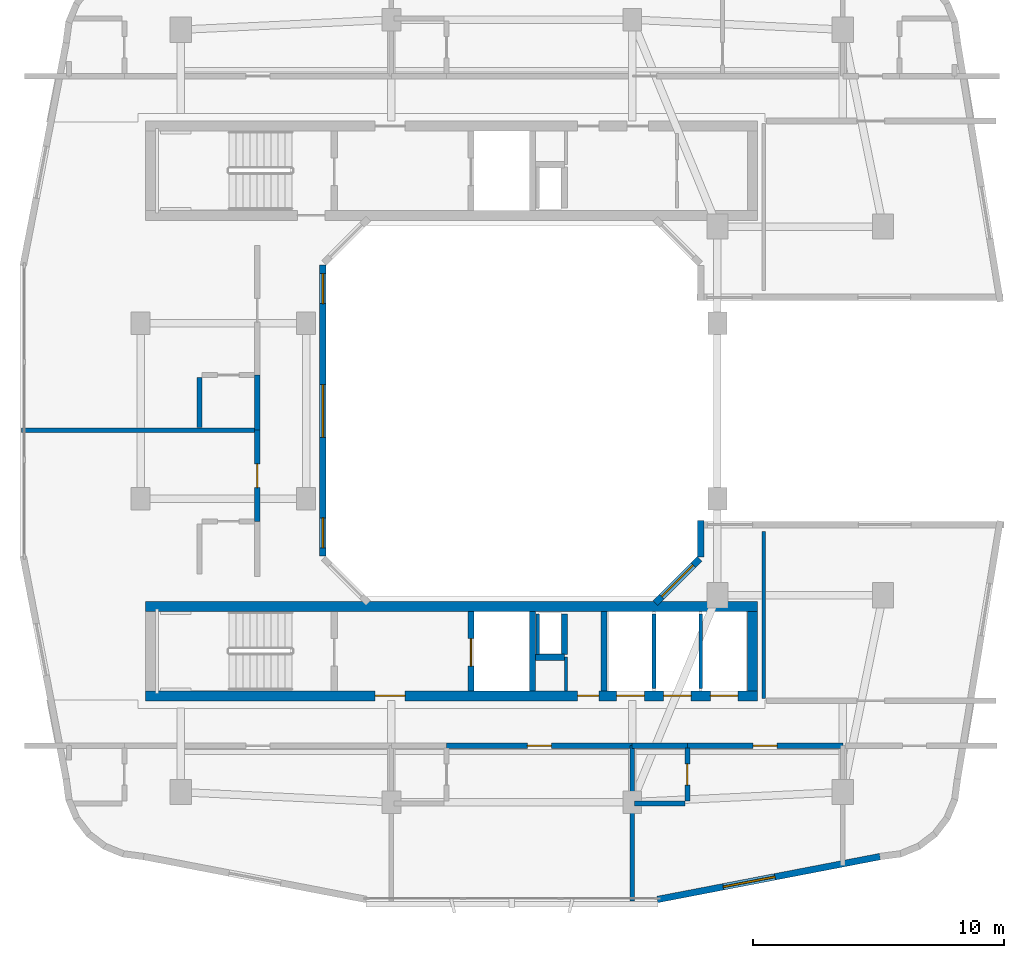
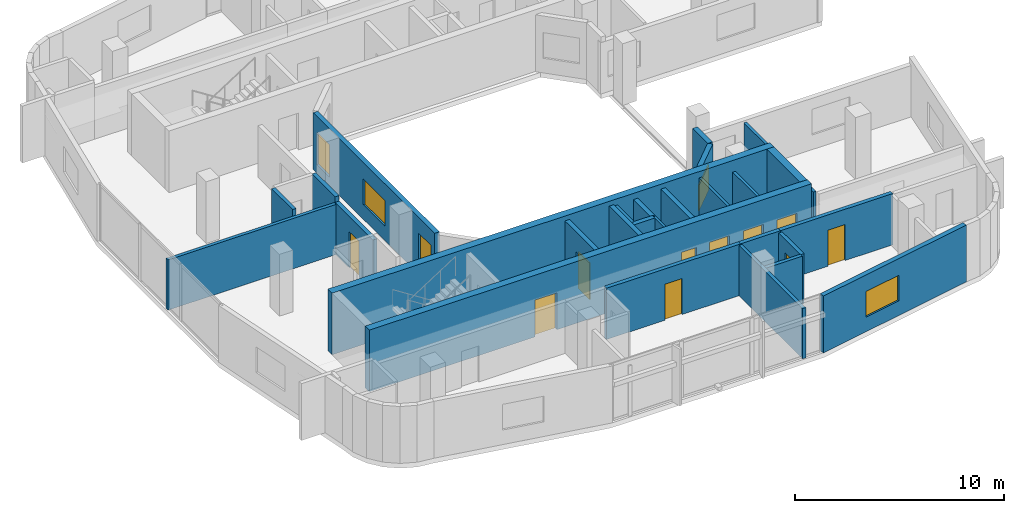
# One storey, part 5 of 12: 27 walls, 10 doors, 5 windows, 15 openings.
"""IFC4 building model written with IfcOpenShell, lengths in metres."""

from ifc_helpers import new_model, si_unit, derived_unit, direction, frame, frame_2d, origin, place, context, subcontext, project, spatial, rectangle, extrude, material, layer, layer_set, type_object, element, fill, save


model = new_model("IFC4")

# Units and contexts
model_context = context("Model", 3, precision=1e-05, world=origin(), true_north=direction((0.0, 1.0)))
body_context = subcontext(model_context, "Body", "Model", "MODEL_VIEW")
ifc_project = project(units=[si_unit("LENGTHUNIT", "METRE"), si_unit("AREAUNIT", "SQUARE_METRE"), si_unit("VOLUMEUNIT", "CUBIC_METRE"), si_unit("PLANEANGLEUNIT", "RADIAN"), si_unit("MASSUNIT", "GRAM", prefix="KILO"), derived_unit("THERMALTRANSMITTANCEUNIT", [(si_unit("POWERUNIT", "WATT"), 1), (si_unit("LENGTHUNIT", "METRE"), -2), (si_unit("THERMODYNAMICTEMPERATUREUNIT", "KELVIN"), -1)])], contexts=[model_context])

# Site, building, storey
site_placement = place(None, origin())
site = spatial("IfcSite", under=ifc_project, at=site_placement, CompositionType="ELEMENT")
building_placement = place(site_placement, origin())
building = spatial("IfcBuilding", under=site, at=building_placement, Name="Kivonza Crest Hotel", CompositionType="ELEMENT")
storey_placement = place(building_placement, frame((0.0, 0.0, 181.10009765625)))
storey = spatial("IfcBuildingStorey", under=building, at=storey_placement, Name="L49", CompositionType="ELEMENT", Elevation=181.10009765625)

# Walls
ifc_material_1 = material(Name="High-density acoustic masonry inter-tenancy wall", Category="masonry")
ifc_layer_1 = layer(ifc_material_1, 0.179931640625)
ifc_layer_set_1 = layer_set([ifc_layer_1], Name="High-density acoustic masonry inter-tenancy wall")
wall_type_1 = type_object("IfcWallType", Name="WL-ACOU-180", PredefinedType="SOLIDWALL", material=ifc_layer_set_1)
wall_1_placement = place(storey_placement, frame((25.800048828125, 5.4599609375, 0.0), z_axis=(0.0, 0.0, 1.0), x_axis=(0.0, 1.0, 0.0)))
element("IfcWall", 1, at=wall_1_placement, inside=storey, type_object=wall_type_1, Name="L49 interior partition WA-L49-T1S-DIV2", PredefinedType="SOLIDWALL", context=body_context, shape_type="SweptSolid", body=[
    extrude(rectangle(XDim=6.18994140625, YDim=0.179931640625, at=frame_2d((3.094970703125, 0.0))), origin(), (0.0, 0.0, 1.0), 2.934814453125),
])
wall_2_placement = place(storey_placement, frame((1.4599609375, 24.22998046875, 0.0), z_axis=(0.0, 0.0, 1.0), x_axis=(1.0, 0.0, 0.0)))
element("IfcWall", 2, at=wall_2_placement, inside=storey, type_object=wall_type_1, Name="L49 interior partition WA-L49-T1W-DIV1", PredefinedType="SOLIDWALL", context=body_context, shape_type="SweptSolid", body=[
    extrude(rectangle(XDim=9.39013671875, YDim=0.179931640625, at=frame_2d((4.695068359375, 0.0))), origin(), (0.0, 0.0, 1.0), 2.934814453125),
])

# Wall, opening, door
ifc_material_2 = material(Name="Autoclaved aerated concrete blockwork", Category="masonry")
ifc_layer_2 = layer(ifc_material_2, 0.219970703125)
ifc_layer_set_2 = layer_set([ifc_layer_2], Name="Autoclaved aerated concrete blockwork")
wall_type_2 = type_object("IfcWallType", Name="WL-ACOU-220", PredefinedType="SOLIDWALL", material=ifc_layer_set_2)
wall_3_placement = place(storey_placement, frame((18.39990234375, 11.64990234375, 0.0), z_axis=(0.0, 0.0, 1.0), x_axis=(1.0, 0.0, 0.0)))
wall_3 = element("IfcWall", 3, at=wall_3_placement, inside=storey, type_object=wall_type_2, Name="L49 interior partition WA-L49-S05-MCORR", PredefinedType="SOLIDWALL", context=body_context, shape_type="SweptSolid", body=[
    extrude(rectangle(XDim=7.400146484375, YDim=0.219970703125, at=frame_2d((3.7001953125, 0.0))), origin(), (0.0, 0.0, 1.0), 2.994873046875),
])
opening_1_placement = place(wall_3_placement, frame((3.22509765625, 0.0, 0.0)))
opening_1 = element("IfcOpeningElement", 4, at=opening_1_placement, cuts=wall_3, Name="Opening DU-60", PredefinedType="OPENING", context=body_context, shape_type="SweptSolid", body=[
    extrude(rectangle(XDim=0.949951171875, YDim=2.10009765625, at=frame_2d((0.47509765625, 1.050048828125))), frame((0.0, 0.1201171875, 0.0), z_axis=(0.0, -1.0, 0.0), x_axis=(1.0, 0.0, 0.0)), (0.0, 0.0, 1.0), 0.239990234375),
])
ifc_material_3 = material(Name="Hardwood timber oak", Category="wood")
door_type_1 = type_object("IfcDoorType", Name="DR-UNIT-950", OperationType="NOTDEFINED", PredefinedType="DOOR", material=ifc_material_3)
door_1_placement = place(opening_1_placement, frame((0.949951171875, 0.0, 0.0), z_axis=(0.0, 0.0, 1.0), x_axis=(-1.0, 0.0, 0.0)))
door_1 = element("IfcDoor", 5, at=door_1_placement, inside=storey, type_object=door_type_1, Name="L49 S05 guest unit entrance fire door", OperationType="SINGLE_SWING_LEFT", OverallHeight=2.10009765625, OverallWidth=0.949951171875, PredefinedType="DOOR", context=body_context, shape_type="SweptSolid", body=[
    extrude(rectangle(XDim=0.949951171875, YDim=2.10009765625, at=frame_2d((0.47509765625, 1.050048828125))), frame((0.0, 0.02490234375, 0.0), z_axis=(0.0, -1.0, 0.0), x_axis=(1.0, 0.0, 0.0)), (0.0, 0.0, 1.0), 0.050048828125),
])
fill(opening_1, door_1)

# Wall
wall_4_placement = place(storey_placement, frame((25.800048828125, 11.64990234375, 0.0), z_axis=(0.0, 0.0, 1.0), x_axis=(1.0, 0.0, 0.0)))
element("IfcWall", 6, at=wall_4_placement, inside=storey, type_object=wall_type_2, Name="L49 interior partition WA-L49-S06-BCORR", PredefinedType="SOLIDWALL", context=body_context, shape_type="SweptSolid", body=[
    extrude(rectangle(XDim=2.199951171875, YDim=0.219970703125, at=frame_2d((1.10009765625, 0.0))), origin(), (0.0, 0.0, 1.0), 2.994873046875),
])

# Wall, opening, door
wall_5_placement = place(storey_placement, frame((28.0, 11.64990234375, 0.0), z_axis=(0.0, 0.0, 1.0), x_axis=(1.0, 0.0, 0.0)))
wall_5 = element("IfcWall", 7, at=wall_5_placement, inside=storey, type_object=wall_type_2, Name="L49 interior partition WA-L49-S06-MCORR", PredefinedType="SOLIDWALL", context=body_context, shape_type="SweptSolid", body=[
    extrude(rectangle(XDim=6.199951171875, YDim=0.219970703125, at=frame_2d((3.10009765625, 0.0))), origin(), (0.0, 0.0, 1.0), 2.994873046875),
])
opening_2_placement = place(wall_5_placement, frame((2.625, 0.0, 0.0)))
opening_2 = element("IfcOpeningElement", 8, at=opening_2_placement, cuts=wall_5, Name="Opening DU-60", PredefinedType="OPENING", context=body_context, shape_type="SweptSolid", body=[
    extrude(rectangle(XDim=0.949951171875, YDim=2.10009765625, at=frame_2d((0.47509765625, 1.050048828125))), frame((0.0, 0.1201171875, 0.0), z_axis=(0.0, -1.0, 0.0), x_axis=(1.0, 0.0, 0.0)), (0.0, 0.0, 1.0), 0.239990234375),
])
door_2_placement = place(opening_2_placement, frame((0.949951171875, 0.0, 0.0), z_axis=(0.0, 0.0, 1.0), x_axis=(-1.0, 0.0, 0.0)))
door_2 = element("IfcDoor", 9, at=door_2_placement, inside=storey, type_object=door_type_1, Name="L49 S06 guest unit entrance fire door", OperationType="SINGLE_SWING_RIGHT", OverallHeight=2.10009765625, OverallWidth=0.949951171875, PredefinedType="DOOR", context=body_context, shape_type="SweptSolid", body=[
    extrude(rectangle(XDim=0.949951171875, YDim=2.10009765625, at=frame_2d((0.47509765625, 1.050048828125))), frame((0.0, 0.02490234375, 0.0), z_axis=(0.0, -1.0, 0.0), x_axis=(1.0, 0.0, 0.0)), (0.0, 0.0, 1.0), 0.050048828125),
])
fill(opening_2, door_2)

wall_6_placement = place(storey_placement, frame((10.85009765625, 20.60009765625, 0.0), z_axis=(0.0, 0.0, 1.0), x_axis=(0.0, 1.0, 0.0)))
wall_6 = element("IfcWall", 10, at=wall_6_placement, inside=storey, type_object=wall_type_2, Name="L49 interior partition WA-L49-W07-MCORR", PredefinedType="SOLIDWALL", context=body_context, shape_type="SweptSolid", body=[
    extrude(rectangle(XDim=3.6298828125, YDim=0.219970703125, at=frame_2d((1.81494140625, 0.0))), origin(), (0.0, 0.0, 1.0), 2.994873046875),
])
opening_3_placement = place(wall_6_placement, frame((1.340087890625, 0.0, 0.0)))
opening_3 = element("IfcOpeningElement", 11, at=opening_3_placement, cuts=wall_6, Name="Opening DU-60", PredefinedType="OPENING", context=body_context, shape_type="SweptSolid", body=[
    extrude(rectangle(XDim=0.949951171875, YDim=2.10009765625, at=frame_2d((0.47509765625, 1.050048828125))), frame((0.0, 0.1201171875, 0.0), z_axis=(0.0, -1.0, 0.0), x_axis=(1.0, 0.0, 0.0)), (0.0, 0.0, 1.0), 0.239990234375),
])
door_3_placement = place(opening_3_placement, origin())
door_3 = element("IfcDoor", 12, at=door_3_placement, inside=storey, type_object=door_type_1, Name="L49 W07 guest unit entrance fire door", OperationType="SINGLE_SWING_LEFT", OverallHeight=2.10009765625, OverallWidth=0.949951171875, PredefinedType="DOOR", context=body_context, shape_type="SweptSolid", body=[
    extrude(rectangle(XDim=0.949951171875, YDim=2.10009765625, at=frame_2d((0.47509765625, 1.050048828125))), frame((0.0, 0.02490234375, 0.0), z_axis=(0.0, -1.0, 0.0), x_axis=(1.0, 0.0, 0.0)), (0.0, 0.0, 1.0), 0.050048828125),
])
fill(opening_3, door_3)

# Wall
wall_7_placement = place(storey_placement, frame((10.85009765625, 24.22998046875, 0.0), z_axis=(0.0, 0.0, 1.0), x_axis=(0.0, 1.0, 0.0)))
element("IfcWall", 13, at=wall_7_placement, inside=storey, type_object=wall_type_2, Name="L49 interior partition WA-L49-W08-BCORR", PredefinedType="SOLIDWALL", context=body_context, shape_type="SweptSolid", body=[
    extrude(rectangle(XDim=2.199951171875, YDim=0.219970703125, at=frame_2d((1.10009765625, 0.0))), origin(), (0.0, 0.0, 1.0), 3.31982421875),
])

# Wall, openings, doors
ifc_material_4 = material(Name="Concrete C50/60", Category="concrete")
ifc_layer_3 = layer(ifc_material_4, 0.39990234375)
ifc_layer_set_3 = layer_set([ifc_layer_3], Name="Concrete C50/60")
wall_type_3 = type_object("IfcWallType", Name="WL-CORE-400", PredefinedType="SHEAR", material=ifc_layer_set_3)
wall_8_placement = place(storey_placement, frame((6.39990234375, 13.639892578125, 0.0), z_axis=(0.0, 0.0, 1.0), x_axis=(1.0, 0.0, 0.0)))
wall_8 = element("IfcWall", 14, at=wall_8_placement, inside=storey, type_object=wall_type_3, Name="Core wall T1-S South L49", PredefinedType="SHEAR", context=body_context, shape_type="SweptSolid", body=[
    extrude(rectangle(XDim=24.400146484375, YDim=0.39990234375, at=frame_2d((12.2001953125, 0.0))), origin(), (0.0, 0.0, 1.0), 3.599853515625),
])
opening_4_placement = place(wall_8_placement, frame((9.14990234375, 0.0, 0.0)))
opening_4 = element("IfcOpeningElement", 15, at=opening_4_placement, cuts=wall_8, Name="Opening DF-60", PredefinedType="OPENING", context=body_context, shape_type="SweptSolid", body=[
    extrude(rectangle(XDim=1.199951171875, YDim=2.14990234375, at=frame_2d((0.60009765625, 1.074951171875))), frame((0.0, 0.2099609375, 0.0), z_axis=(0.0, -1.0, 0.0), x_axis=(1.0, 0.0, 0.0)), (0.0, 0.0, 1.0), 0.419921875),
])
opening_5_placement = place(wall_8_placement, frame((17.219970703125, 0.0, 0.0)))
opening_5 = element("IfcOpeningElement", 16, at=opening_5_placement, cuts=wall_8, Name="Opening DF-60R", PredefinedType="OPENING", context=body_context, shape_type="SweptSolid", body=[
    extrude(rectangle(XDim=0.85009765625, YDim=2.10009765625, at=frame_2d((0.425048828125, 1.050048828125))), frame((0.0, 0.2099609375, 0.0), z_axis=(0.0, -1.0, 0.0), x_axis=(1.0, 0.0, 0.0)), (0.0, 0.0, 1.0), 0.419921875),
])
opening_6_placement = place(wall_8_placement, frame((18.782958984375, 0.0, 0.0)))
opening_6 = element("IfcOpeningElement", 17, at=opening_6_placement, cuts=wall_8, Name="Opening LD-120", PredefinedType="OPENING", context=body_context, shape_type="SweptSolid", body=[
    extrude(rectangle(XDim=1.10009765625, YDim=2.14990234375, at=frame_2d((0.550048828125, 1.074951171875))), frame((0.0, 0.2099609375, 0.0), z_axis=(0.0, -1.0, 0.0), x_axis=(1.0, 0.0, 0.0)), (0.0, 0.0, 1.0), 0.419921875),
])
opening_7_placement = place(wall_8_placement, frame((20.64990234375, 0.0, 0.0)))
opening_7 = element("IfcOpeningElement", 18, at=opening_7_placement, cuts=wall_8, Name="Opening LD-120", PredefinedType="OPENING", context=body_context, shape_type="SweptSolid", body=[
    extrude(rectangle(XDim=1.10009765625, YDim=2.14990234375, at=frame_2d((0.550048828125, 1.074951171875))), frame((0.0, 0.2099609375, 0.0), z_axis=(0.0, -1.0, 0.0), x_axis=(1.0, 0.0, 0.0)), (0.0, 0.0, 1.0), 0.419921875),
])
opening_8_placement = place(wall_8_placement, frame((22.51708984375, 0.0, 0.0)))
opening_8 = element("IfcOpeningElement", 19, at=opening_8_placement, cuts=wall_8, Name="Opening LD-120", PredefinedType="OPENING", context=body_context, shape_type="SweptSolid", body=[
    extrude(rectangle(XDim=1.10009765625, YDim=2.14990234375, at=frame_2d((0.550048828125, 1.074951171875))), frame((0.0, 0.2099609375, 0.0), z_axis=(0.0, -1.0, 0.0), x_axis=(1.0, 0.0, 0.0)), (0.0, 0.0, 1.0), 0.419921875),
])
door_type_2 = type_object("IfcDoorType", Name="DR-FD60-1200", OperationType="NOTDEFINED", PredefinedType="DOOR", material=ifc_material_3)
door_4_placement = place(opening_4_placement, frame((1.199951171875, 0.0, 0.0), z_axis=(0.0, 0.0, 1.0), x_axis=(-1.0, 0.0, 0.0)))
door_4 = element("IfcDoor", 20, at=door_4_placement, inside=storey, type_object=door_type_2, Name="L49 T1-S firefighting lobby fire door", OperationType="SINGLE_SWING_LEFT", OverallHeight=2.14990234375, OverallWidth=1.199951171875, PredefinedType="DOOR", context=body_context, shape_type="SweptSolid", body=[
    extrude(rectangle(XDim=1.199951171875, YDim=2.14990234375, at=frame_2d((0.60009765625, 1.074951171875))), frame((0.0, 0.02490234375, 0.0), z_axis=(0.0, -1.0, 0.0), x_axis=(1.0, 0.0, 0.0)), (0.0, 0.0, 1.0), 0.050048828125),
])
fill(opening_4, door_4)
door_type_3 = type_object("IfcDoorType", Name="DR-FD60-850", OperationType="NOTDEFINED", PredefinedType="DOOR", material=ifc_material_3)
door_5_placement = place(opening_5_placement, frame((0.85009765625, 0.0, 0.0), z_axis=(0.0, 0.0, 1.0), x_axis=(-1.0, 0.0, 0.0)))
door_5 = element("IfcDoor", 21, at=door_5_placement, inside=storey, type_object=door_type_3, Name="L49 T1-S core room door", OperationType="SINGLE_SWING_RIGHT", OverallHeight=2.10009765625, OverallWidth=0.85009765625, PredefinedType="DOOR", context=body_context, shape_type="SweptSolid", body=[
    extrude(rectangle(XDim=0.85009765625, YDim=2.10009765625, at=frame_2d((0.425048828125, 1.050048828125))), frame((0.0, 0.02490234375, 0.0), z_axis=(0.0, -1.0, 0.0), x_axis=(1.0, 0.0, 0.0)), (0.0, 0.0, 1.0), 0.050048828125),
])
fill(opening_5, door_5)
ifc_material_5 = material(Name="Stainless steel", Category="steel")
door_type_4 = type_object("IfcDoorType", Name="DR-LD120-1100", OperationType="NOTDEFINED", PredefinedType="DOOR", material=ifc_material_5)
door_6_placement = place(opening_6_placement, frame((1.10009765625, 0.0, 0.0), z_axis=(0.0, 0.0, 1.0), x_axis=(-1.0, 0.0, 0.0)))
door_6 = element("IfcDoor", 22, at=door_6_placement, inside=storey, type_object=door_type_4, Name="L49 PL-T1-H1 passenger lift sliding landing door", OperationType="DOUBLE_DOOR_SLIDING", OverallHeight=2.14990234375, OverallWidth=1.10009765625, PredefinedType="DOOR", context=body_context, shape_type="SweptSolid", body=[
    extrude(rectangle(XDim=1.10009765625, YDim=2.14990234375, at=frame_2d((0.550048828125, 1.074951171875))), frame((0.0, 0.02490234375, 0.0), z_axis=(0.0, -1.0, 0.0), x_axis=(1.0, 0.0, 0.0)), (0.0, 0.0, 1.0), 0.050048828125),
])
fill(opening_6, door_6)
door_7_placement = place(opening_7_placement, frame((1.10009765625, 0.0, 0.0), z_axis=(0.0, 0.0, 1.0), x_axis=(-1.0, 0.0, 0.0)))
door_7 = element("IfcDoor", 23, at=door_7_placement, inside=storey, type_object=door_type_4, Name="L49 PL-T1-H2 passenger lift sliding landing door", OperationType="DOUBLE_DOOR_SLIDING", OverallHeight=2.14990234375, OverallWidth=1.10009765625, PredefinedType="DOOR", context=body_context, shape_type="SweptSolid", body=[
    extrude(rectangle(XDim=1.10009765625, YDim=2.14990234375, at=frame_2d((0.550048828125, 1.074951171875))), frame((0.0, 0.02490234375, 0.0), z_axis=(0.0, -1.0, 0.0), x_axis=(1.0, 0.0, 0.0)), (0.0, 0.0, 1.0), 0.050048828125),
])
fill(opening_7, door_7)
door_8_placement = place(opening_8_placement, frame((1.10009765625, 0.0, 0.0), z_axis=(0.0, 0.0, 1.0), x_axis=(-1.0, 0.0, 0.0)))
door_8 = element("IfcDoor", 24, at=door_8_placement, inside=storey, type_object=door_type_4, Name="L49 PL-T1-H3 passenger lift sliding landing door", OperationType="DOUBLE_DOOR_SLIDING", OverallHeight=2.14990234375, OverallWidth=1.10009765625, PredefinedType="DOOR", context=body_context, shape_type="SweptSolid", body=[
    extrude(rectangle(XDim=1.10009765625, YDim=2.14990234375, at=frame_2d((0.550048828125, 1.074951171875))), frame((0.0, 0.02490234375, 0.0), z_axis=(0.0, -1.0, 0.0), x_axis=(1.0, 0.0, 0.0)), (0.0, 0.0, 1.0), 0.050048828125),
])
fill(opening_8, door_8)

# Walls
wall_9_placement = place(storey_placement, frame((6.39990234375, 17.199951171875, 0.0), z_axis=(0.0, 0.0, 1.0), x_axis=(1.0, 0.0, 0.0)))
element("IfcWall", 25, at=wall_9_placement, inside=storey, type_object=wall_type_3, Name="Core wall T1-S North L49", PredefinedType="SHEAR", context=body_context, shape_type="SweptSolid", body=[
    extrude(rectangle(XDim=24.400146484375, YDim=0.39990234375, at=frame_2d((12.2001953125, 0.0))), origin(), (0.0, 0.0, 1.0), 3.599853515625),
])
wall_10_placement = place(storey_placement, frame((30.60009765625, 13.840087890625, 0.0), z_axis=(0.0, 0.0, 1.0), x_axis=(0.0, 1.0, 0.0)))
element("IfcWall", 26, at=wall_10_placement, inside=storey, type_object=wall_type_3, Name="Core wall T1-S East L49", PredefinedType="SHEAR", context=body_context, shape_type="SweptSolid", body=[
    extrude(rectangle(XDim=3.159912109375, YDim=0.39990234375, at=frame_2d((1.580078125, 0.0))), origin(), (0.0, 0.0, 1.0), 3.599853515625),
])

# Wall, opening, window
ifc_material_6 = material(Name="Precast concrete C40/50", Category="concrete")
ifc_layer_4 = layer(ifc_material_6, 0.260009765625)
ifc_layer_set_4 = layer_set([ifc_layer_4], Name="Precast concrete C40/50")
wall_type_4 = type_object("IfcWallType", Name="WL-EXT-260", PredefinedType="STANDARD", material=ifc_layer_set_4)
wall_11_placement = place(storey_placement, frame((26.801025390625, 5.51806640625, 0.0), z_axis=(0.0, 0.0, 1.0), x_axis=(0.98192801022, 0.189254809039, 0.0)))
wall_11 = element("IfcWall", 27, at=wall_11_placement, inside=storey, type_object=wall_type_4, Name="L49 T1 exterior insulated wall 9", PredefinedType="STANDARD", context=body_context, shape_type="SweptSolid", body=[
    extrude(rectangle(XDim=9.045654296875, YDim=0.260009765625, at=frame_2d((4.52294921875, 0.0))), origin(), (0.0, 0.0, 1.0), 3.31982421875),
])
opening_9_placement = place(wall_11_placement, frame((2.680908203125, 0.0, 0.85009765625)))
opening_9 = element("IfcOpeningElement", 28, at=opening_9_placement, cuts=wall_11, Name="Opening WN-04", PredefinedType="OPENING", context=body_context, shape_type="SweptSolid", body=[
    extrude(rectangle(XDim=2.10009765625, YDim=1.5, at=frame_2d((1.050048828125, 0.75))), frame((0.0, 0.14013671875, 0.0), z_axis=(0.0, -1.0, 0.0), x_axis=(1.0, 0.0, 0.0)), (0.0, 0.0, 1.0), 0.280029296875),
])
ifc_material_7 = material(Name="Thermally broken bronze aluminium and low-E double glazing", Category="aluminium")
window_type_1 = type_object("IfcWindowType", Name="WN-210x150", PartitioningType="DOUBLE_PANEL_VERTICAL", PredefinedType="WINDOW", material=ifc_material_7)
window_1_placement = place(opening_9_placement, origin())
window_1 = element("IfcWindow", 29, at=window_1_placement, inside=storey, type_object=window_type_1, Name="L49 T1 facade window 9", OverallHeight=1.5, OverallWidth=2.10009765625, PartitioningType="SINGLE_PANEL", PredefinedType="WINDOW", context=body_context, shape_type="SweptSolid", body=[
    extrude(rectangle(XDim=2.10009765625, YDim=1.5, at=frame_2d((1.050048828125, 0.75))), frame((0.0, 0.030029296875, 0.0), z_axis=(0.0, -1.0, 0.0), x_axis=(1.0, 0.0, 0.0)), (0.0, 0.0, 1.0), 0.06005859375),
])
fill(opening_9, window_1)

# Wall
wall_12_placement = place(storey_placement, frame((28.530029296875, 20.625, 0.0), z_axis=(0.0, 0.0, 1.0), x_axis=(0.0, -1.0, 0.0)))
element("IfcWall", 30, at=wall_12_placement, inside=storey, type_object=wall_type_4, Name="L49 T1 exterior insulated wall 18", PredefinedType="STANDARD", context=body_context, shape_type="SweptSolid", body=[
    extrude(rectangle(XDim=1.449951171875, YDim=0.260009765625, at=frame_2d((0.72509765625, 0.0))), origin(), (0.0, 0.0, 1.0), 3.31982421875),
])

# Wall, opening, window
wall_13_placement = place(storey_placement, frame((28.485107421875, 19.10107421875, 0.0), z_axis=(0.0, 0.0, 1.0), x_axis=(-0.707106781187, -0.707106781187, 0.0)))
wall_13 = element("IfcWall", 31, at=wall_13_placement, inside=storey, type_object=wall_type_4, Name="L49 T1 exterior insulated wall 19", PredefinedType="STANDARD", context=body_context, shape_type="SweptSolid", body=[
    extrude(rectangle(XDim=2.493408203125, YDim=0.260009765625, at=frame_2d((1.24658203125, 0.0))), origin(), (0.0, 0.0, 1.0), 3.31982421875),
])
opening_10_placement = place(wall_13_placement, frame((0.346923828125, 0.0, 0.85009765625)))
opening_10 = element("IfcOpeningElement", 32, at=opening_10_placement, cuts=wall_13, Name="Opening WN-03", PredefinedType="OPENING", context=body_context, shape_type="SweptSolid", body=[
    extrude(rectangle(XDim=1.800048828125, YDim=1.5, at=frame_2d((0.89990234375, 0.75))), frame((0.0, 0.14013671875, 0.0), z_axis=(0.0, -1.0, 0.0), x_axis=(1.0, 0.0, 0.0)), (0.0, 0.0, 1.0), 0.280029296875),
])
window_type_2 = type_object("IfcWindowType", Name="WN-180x150", PartitioningType="DOUBLE_PANEL_VERTICAL", PredefinedType="WINDOW", material=ifc_material_7)
window_2_placement = place(opening_10_placement, origin())
window_2 = element("IfcWindow", 33, at=window_2_placement, inside=storey, type_object=window_type_2, Name="L49 T1 facade window 19", OverallHeight=1.5, OverallWidth=1.800048828125, PartitioningType="SINGLE_PANEL", PredefinedType="WINDOW", context=body_context, shape_type="SweptSolid", body=[
    extrude(rectangle(XDim=1.800048828125, YDim=1.5, at=frame_2d((0.89990234375, 0.75))), frame((0.0, 0.030029296875, 0.0), z_axis=(0.0, -1.0, 0.0), x_axis=(1.0, 0.0, 0.0)), (0.0, 0.0, 1.0), 0.06005859375),
])
fill(opening_10, window_2)

# Wall, openings, windows
wall_14_placement = place(storey_placement, frame((13.469970703125, 19.2099609375, 0.0), z_axis=(0.0, 0.0, 1.0), x_axis=(0.0, 1.0, 0.0)))
wall_14 = element("IfcWall", 34, at=wall_14_placement, inside=storey, type_object=wall_type_4, Name="L49 T1 exterior insulated wall 22", PredefinedType="STANDARD", context=body_context, shape_type="SweptSolid", body=[
    extrude(rectangle(XDim=11.614990234375, YDim=0.260009765625, at=frame_2d((5.8076171875, 0.0))), origin(), (0.0, 0.0, 1.0), 3.31982421875),
])
opening_11_placement = place(wall_14_placement, frame((0.330078125, 0.0, 0.5)))
opening_11 = element("IfcOpeningElement", 35, at=opening_11_placement, cuts=wall_14, Name="Opening WN-06", PredefinedType="OPENING", context=body_context, shape_type="SweptSolid", body=[
    extrude(rectangle(XDim=1.199951171875, YDim=1.89990234375, at=frame_2d((0.60009765625, 0.949951171875))), frame((0.0, 0.14013671875, 0.0), z_axis=(0.0, -1.0, 0.0), x_axis=(1.0, 0.0, 0.0)), (0.0, 0.0, 1.0), 0.280029296875),
])
opening_12_placement = place(wall_14_placement, frame((4.739990234375, 0.0, 0.85009765625)))
opening_12 = element("IfcOpeningElement", 36, at=opening_12_placement, cuts=wall_14, Name="Opening WN-04", PredefinedType="OPENING", context=body_context, shape_type="SweptSolid", body=[
    extrude(rectangle(XDim=2.10009765625, YDim=1.5, at=frame_2d((1.050048828125, 0.75))), frame((0.0, 0.14013671875, 0.0), z_axis=(0.0, -1.0, 0.0), x_axis=(1.0, 0.0, 0.0)), (0.0, 0.0, 1.0), 0.280029296875),
])
opening_13_placement = place(wall_14_placement, frame((10.06689453125, 0.0, 0.5)))
opening_13 = element("IfcOpeningElement", 37, at=opening_13_placement, cuts=wall_14, Name="Opening WN-06", PredefinedType="OPENING", context=body_context, shape_type="SweptSolid", body=[
    extrude(rectangle(XDim=1.199951171875, YDim=1.89990234375, at=frame_2d((0.60009765625, 0.949951171875))), frame((0.0, 0.14013671875, 0.0), z_axis=(0.0, -1.0, 0.0), x_axis=(1.0, 0.0, 0.0)), (0.0, 0.0, 1.0), 0.280029296875),
])
window_type_3 = type_object("IfcWindowType", Name="WN-120x190", PartitioningType="SINGLE_PANEL", PredefinedType="WINDOW", material=ifc_material_7)
window_3_placement = place(opening_11_placement, origin())
window_3 = element("IfcWindow", 38, at=window_3_placement, inside=storey, type_object=window_type_3, Name="L49 T1 facade window 22 bay 1", OverallHeight=1.89990234375, OverallWidth=1.199951171875, PartitioningType="SINGLE_PANEL", PredefinedType="WINDOW", context=body_context, shape_type="SweptSolid", body=[
    extrude(rectangle(XDim=1.199951171875, YDim=1.89990234375, at=frame_2d((0.60009765625, 0.949951171875))), frame((0.0, 0.030029296875, 0.0), z_axis=(0.0, -1.0, 0.0), x_axis=(1.0, 0.0, 0.0)), (0.0, 0.0, 1.0), 0.06005859375),
])
fill(opening_11, window_3)
window_4_placement = place(opening_13_placement, origin())
window_4 = element("IfcWindow", 39, at=window_4_placement, inside=storey, type_object=window_type_3, Name="L49 T1 facade window 22 bay 3", OverallHeight=1.89990234375, OverallWidth=1.199951171875, PartitioningType="SINGLE_PANEL", PredefinedType="WINDOW", context=body_context, shape_type="SweptSolid", body=[
    extrude(rectangle(XDim=1.199951171875, YDim=1.89990234375, at=frame_2d((0.60009765625, 0.949951171875))), frame((0.0, 0.030029296875, 0.0), z_axis=(0.0, -1.0, 0.0), x_axis=(1.0, 0.0, 0.0)), (0.0, 0.0, 1.0), 0.06005859375),
])
fill(opening_13, window_4)
window_5_placement = place(opening_12_placement, origin())
window_5 = element("IfcWindow", 40, at=window_5_placement, inside=storey, type_object=window_type_1, Name="L49 T1 facade window 22 bay 2", OverallHeight=1.5, OverallWidth=2.10009765625, PartitioningType="SINGLE_PANEL", PredefinedType="WINDOW", context=body_context, shape_type="SweptSolid", body=[
    extrude(rectangle(XDim=2.10009765625, YDim=1.5, at=frame_2d((1.050048828125, 0.75))), frame((0.0, 0.030029296875, 0.0), z_axis=(0.0, -1.0, 0.0), x_axis=(1.0, 0.0, 0.0)), (0.0, 0.0, 1.0), 0.06005859375),
])
fill(opening_12, window_5)

# Walls
ifc_material_8 = material(Name="Concrete blockwork fire-compartment wall", Category="masonry")
ifc_layer_5 = layer(ifc_material_8, 0.25)
ifc_layer_set_5 = layer_set([ifc_layer_5], Name="Concrete blockwork fire-compartment wall")
wall_type_5 = type_object("IfcWallType", Name="WL-FIRE-250", PredefinedType="SOLIDWALL", material=ifc_layer_set_5)
wall_15_placement = place(storey_placement, frame((23.10009765625, 15.280029296875, 0.0), z_axis=(0.0, 0.0, 1.0), x_axis=(0.0, 1.0, 0.0)))
element("IfcWall", 41, at=wall_15_placement, inside=storey, type_object=wall_type_5, Name="L49 interior partition WA-L49-T1-S-MEPR-E", PredefinedType="SOLIDWALL", context=body_context, shape_type="SweptSolid", body=[
    extrude(rectangle(XDim=1.619873046875, YDim=0.25, at=frame_2d((0.81005859375, 0.0))), origin(), (0.0, 0.0, 1.0), 3.31982421875),
])
wall_16_placement = place(storey_placement, frame((21.949951171875, 15.179931640625, 0.0), z_axis=(0.0, 0.0, 1.0), x_axis=(1.0, 0.0, 0.0)))
element("IfcWall", 42, at=wall_16_placement, inside=storey, type_object=wall_type_5, Name="L49 interior partition WA-L49-T1-S-MEPR-H", PredefinedType="SOLIDWALL", context=body_context, shape_type="SweptSolid", body=[
    extrude(rectangle(XDim=1.150146484375, YDim=0.25, at=frame_2d((0.5751953125, 0.0))), origin(), (0.0, 0.0, 1.0), 3.31982421875),
])
ifc_material_9 = material(Name="Metal-stud gypsum board partition", Category="gypsum")
ifc_layer_6 = layer(ifc_material_9, 0.125)
ifc_layer_set_6 = layer_set([ifc_layer_6], Name="Metal-stud gypsum board partition")
wall_type_6 = type_object("IfcWallType", Name="WL-PART-125", PredefinedType="PARTITIONING", material=ifc_layer_set_6)
wall_17_placement = place(storey_placement, frame((23.159912109375, 13.840087890625, 0.0), z_axis=(0.0, 0.0, 1.0), x_axis=(0.0, 1.0, 0.0)))
element("IfcWall", 43, at=wall_17_placement, inside=storey, type_object=wall_type_6, Name="L49 interior partition WP-L49-T1-S-SV1V", PredefinedType="PARTITIONING", context=body_context, shape_type="SweptSolid", body=[
    extrude(rectangle(XDim=1.33984375, YDim=0.125, at=frame_2d((0.669921875, 0.0))), origin(), (0.0, 0.0, 1.0), 3.31982421875),
])
ifc_material_10 = material(Name="Twin-stud acoustic gypsum board partition", Category="gypsum")
ifc_layer_7 = layer(ifc_material_10, 0.14990234375)
ifc_layer_set_7 = layer_set([ifc_layer_7], Name="Twin-stud acoustic gypsum board partition")
wall_type_7 = type_object("IfcWallType", Name="WL-PART-150", PredefinedType="PARTITIONING", material=ifc_layer_set_7)
wall_18_placement = place(storey_placement, frame((22.030029296875, 15.280029296875, 0.0), z_axis=(0.0, 0.0, 1.0), x_axis=(0.0, 1.0, 0.0)))
element("IfcWall", 44, at=wall_18_placement, inside=storey, type_object=wall_type_7, Name="L49 interior partition WA-L49-T1-S-MEPR-W", PredefinedType="PARTITIONING", context=body_context, shape_type="SweptSolid", body=[
    extrude(rectangle(XDim=1.619873046875, YDim=0.14990234375, at=frame_2d((0.81005859375, 0.0))), origin(), (0.0, 0.0, 1.0), 3.31982421875),
])
wall_19_placement = place(storey_placement, frame((26.6669921875, 13.93994140625, 0.0), z_axis=(0.0, 0.0, 1.0), x_axis=(0.0, 1.0, 0.0)))
element("IfcWall", 45, at=wall_19_placement, inside=storey, type_object=wall_type_7, Name="L49 interior partition WP-L49-T1-S-BSH-1", PredefinedType="PARTITIONING", context=body_context, shape_type="SweptSolid", body=[
    extrude(rectangle(XDim=2.9599609375, YDim=0.14990234375, at=frame_2d((1.47998046875, 0.0))), origin(), (0.0, 0.0, 1.0), 3.31982421875),
])
wall_20_placement = place(storey_placement, frame((28.532958984375, 13.93994140625, 0.0), z_axis=(0.0, 0.0, 1.0), x_axis=(0.0, 1.0, 0.0)))
element("IfcWall", 46, at=wall_20_placement, inside=storey, type_object=wall_type_7, Name="L49 interior partition WP-L49-T1-S-BSH-2", PredefinedType="PARTITIONING", context=body_context, shape_type="SweptSolid", body=[
    extrude(rectangle(XDim=2.9599609375, YDim=0.14990234375, at=frame_2d((1.47998046875, 0.0))), origin(), (0.0, 0.0, 1.0), 2.994873046875),
])
wall_21_placement = place(storey_placement, frame((31.050048828125, 13.5400390625, 0.0), z_axis=(0.0, 0.0, 1.0), x_axis=(0.0, 1.0, 0.0)))
element("IfcWall", 47, at=wall_21_placement, inside=storey, type_object=wall_type_7, Name="L49 interior partition WP-L49-EP1-BW", PredefinedType="PARTITIONING", context=body_context, shape_type="SweptSolid", body=[
    extrude(rectangle(XDim=6.659912109375, YDim=0.14990234375, at=frame_2d((3.330078125, 0.0))), origin(), (0.0, 0.0, 1.0), 2.994873046875),
])

# Wall, opening, door
ifc_material_11 = material(Name="Moisture-resistant plumbing chase partition wall", Category="gypsum")
ifc_layer_8 = layer(ifc_material_11, 0.199951171875)
ifc_layer_set_8 = layer_set([ifc_layer_8], Name="Moisture-resistant plumbing chase partition wall")
wall_type_8 = type_object("IfcWallType", Name="WL-PLUMB-200", PredefinedType="PLUMBINGWALL", material=ifc_layer_set_8)
wall_22_placement = place(storey_placement, frame((28.0, 9.449951171875, 0.0), z_axis=(0.0, 0.0, 1.0), x_axis=(0.0, 1.0, 0.0)))
wall_22 = element("IfcWall", 48, at=wall_22_placement, inside=storey, type_object=wall_type_8, Name="L49 interior partition WW-L49-S06-BV", PredefinedType="PLUMBINGWALL", context=body_context, shape_type="SweptSolid", body=[
    extrude(rectangle(XDim=2.10009765625, YDim=0.199951171875, at=frame_2d((1.050048828125, 0.0))), origin(), (0.0, 0.0, 1.0), 2.89501953125),
])
opening_14_placement = place(wall_22_placement, frame((0.625, 0.0, 0.0)))
opening_14 = element("IfcOpeningElement", 49, at=opening_14_placement, cuts=wall_22, Name="Opening DI-85", PredefinedType="OPENING", context=body_context, shape_type="SweptSolid", body=[
    extrude(rectangle(XDim=0.85009765625, YDim=2.10009765625, at=frame_2d((0.425048828125, 1.050048828125))), frame((0.0, 0.10986328125, 0.0), z_axis=(0.0, -1.0, 0.0), x_axis=(1.0, 0.0, 0.0)), (0.0, 0.0, 1.0), 0.219970703125),
])
door_type_5 = type_object("IfcDoorType", Name="DR-INT-850", OperationType="NOTDEFINED", PredefinedType="DOOR", material=ifc_material_3)
door_9_placement = place(opening_14_placement, frame((0.85009765625, 0.0, 0.0), z_axis=(0.0, 0.0, 1.0), x_axis=(-1.0, 0.0, 0.0)))
door_9 = element("IfcDoor", 50, at=door_9_placement, inside=storey, type_object=door_type_5, Name="L49 S06 en-suite bathroom door", OperationType="SINGLE_SWING_LEFT", OverallHeight=2.10009765625, OverallWidth=0.85009765625, PredefinedType="DOOR", context=body_context, shape_type="SweptSolid", body=[
    extrude(rectangle(XDim=0.85009765625, YDim=2.10009765625, at=frame_2d((0.425048828125, 1.050048828125))), frame((0.0, 0.02490234375, 0.0), z_axis=(0.0, -1.0, 0.0), x_axis=(1.0, 0.0, 0.0)), (0.0, 0.0, 1.0), 0.050048828125),
])
fill(opening_14, door_9)

# Walls
wall_23_placement = place(storey_placement, frame((25.89990234375, 9.35009765625, 0.0), z_axis=(0.0, 0.0, 1.0), x_axis=(1.0, 0.0, 0.0)))
element("IfcWall", 51, at=wall_23_placement, inside=storey, type_object=wall_type_8, Name="L49 interior partition WW-L49-S06-BH", PredefinedType="PLUMBINGWALL", context=body_context, shape_type="SweptSolid", body=[
    extrude(rectangle(XDim=2.0, YDim=0.199951171875, at=frame_2d((1.0, 0.0))), origin(), (0.0, 0.0, 1.0), 2.934814453125),
])
wall_24_placement = place(storey_placement, frame((8.550048828125, 24.330078125, 0.0), z_axis=(0.0, 0.0, 1.0), x_axis=(0.0, 1.0, 0.0)))
element("IfcWall", 52, at=wall_24_placement, inside=storey, type_object=wall_type_8, Name="L49 interior partition WW-L49-W08-BV", PredefinedType="PLUMBINGWALL", context=body_context, shape_type="SweptSolid", body=[
    extrude(rectangle(XDim=2.0, YDim=0.199951171875, at=frame_2d((1.0, 0.0))), origin(), (0.0, 0.0, 1.0), 3.31982421875),
])

# Wall, opening, door
ifc_layer_9 = layer(ifc_material_4, 0.25)
ifc_layer_set_9 = layer_set([ifc_layer_9], Name="Concrete C50/60")
wall_type_9 = type_object("IfcWallType", Name="WL-SHAFT-250", PredefinedType="STANDARD", material=ifc_layer_set_9)
wall_25_placement = place(storey_placement, frame((19.375, 13.840087890625, 0.0), z_axis=(0.0, 0.0, 1.0), x_axis=(0.0, 1.0, 0.0)))
wall_25 = element("IfcWall", 53, at=wall_25_placement, inside=storey, type_object=wall_type_9, Name="Core shaft wall T1-S FFL-W L49", PredefinedType="STANDARD", context=body_context, shape_type="SweptSolid", body=[
    extrude(rectangle(XDim=3.159912109375, YDim=0.25, at=frame_2d((1.580078125, 0.0))), origin(), (0.0, 0.0, 1.0), 3.31982421875),
])
opening_15_placement = place(wall_25_placement, frame((0.97998046875, 0.0, 0.0)))
opening_15 = element("IfcOpeningElement", 54, at=opening_15_placement, cuts=wall_25, Name="Opening LD-120", PredefinedType="OPENING", context=body_context, shape_type="SweptSolid", body=[
    extrude(rectangle(XDim=1.10009765625, YDim=2.14990234375, at=frame_2d((0.550048828125, 1.074951171875))), frame((0.0, 0.135009765625, 0.0), z_axis=(0.0, -1.0, 0.0), x_axis=(1.0, 0.0, 0.0)), (0.0, 0.0, 1.0), 0.27001953125),
])
door_10_placement = place(opening_15_placement, origin())
door_10 = element("IfcDoor", 55, at=door_10_placement, inside=storey, type_object=door_type_4, Name="L49 FFL-T1-S firefighting lift sliding landing door", OperationType="DOUBLE_DOOR_SLIDING", OverallHeight=2.14990234375, OverallWidth=1.10009765625, PredefinedType="DOOR", context=body_context, shape_type="SweptSolid", body=[
    extrude(rectangle(XDim=1.10009765625, YDim=2.14990234375, at=frame_2d((0.550048828125, 1.074951171875))), frame((0.0, 0.02490234375, 0.0), z_axis=(0.0, -1.0, 0.0), x_axis=(1.0, 0.0, 0.0)), (0.0, 0.0, 1.0), 0.050048828125),
])
fill(opening_15, door_10)

# Walls
for number, where, z_axis, x_axis, name in (
    (56, (21.824951171875, 13.840087890625, 0.0), (0.0, 0.0, 1.0), (0.0, 1.0, 0.0), "Core shaft wall T1-S FFL-E L49"),
    (57, (24.675048828125, 13.840087890625, 0.0), (0.0, 0.0, 1.0), (0.0, 1.0, 0.0), "Core shaft wall T1-S BANK-W L49"),
):
    element("IfcWall", number, at=place(storey_placement, frame(where, z_axis=z_axis, x_axis=x_axis)), inside=storey, type_object=wall_type_9, Name=name, PredefinedType="STANDARD", context=body_context, shape_type="SweptSolid", body=[
        extrude(rectangle(XDim=3.159912109375, YDim=0.25, at=frame_2d((1.580078125, 0.0))), origin(), (0.0, 0.0, 1.0), 3.31982421875),
    ])

save(model, "model.ifc")
